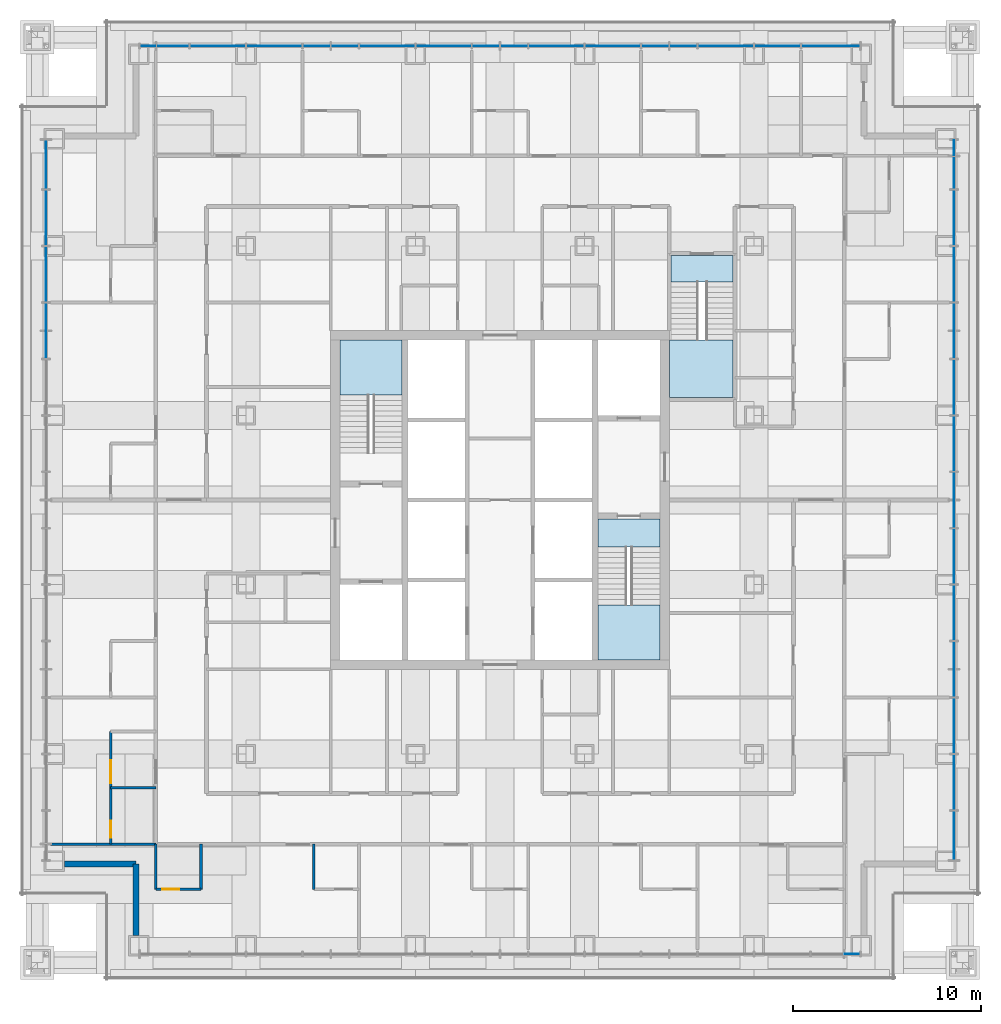
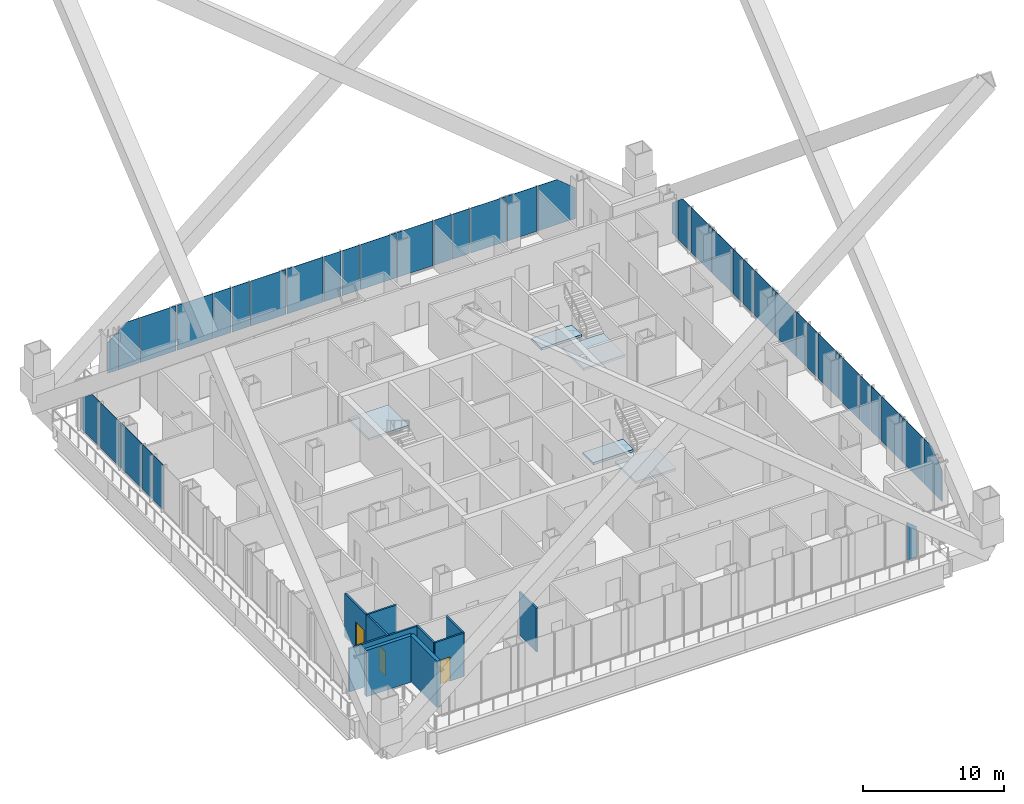
# One storey, part 14 of 20: 40 plates, 10 walls, 5 slabs, 3 doors, 3 openings, 7 elements without a shape of their own.
"""IFC4 building model written with IfcOpenShell, lengths in metres."""

from ifc_helpers import new_model, si_unit, direction, frame, frame_2d, origin, origin_2d, place, context, subcontext, project, spatial, polyline, rectangle, outline, extrude, material, layer, layer_set, type_object, element, fill, aggregate, save


model = new_model("IFC4")

# Units and contexts
model_context = context("Model", 3, precision=1e-05, world=origin(), true_north=direction((0.0, 1.0)))
body_context = subcontext(model_context, "Body", "Model", "MODEL_VIEW")
ifc_project = project(units=[si_unit("LENGTHUNIT", "METRE"), si_unit("AREAUNIT", "SQUARE_METRE"), si_unit("VOLUMEUNIT", "CUBIC_METRE"), si_unit("PLANEANGLEUNIT", "RADIAN"), si_unit("MASSUNIT", "GRAM", prefix="KILO")], contexts=[model_context])

# Site, building, storey
site_placement = place(None, origin())
site = spatial("IfcSite", under=ifc_project, at=site_placement, CompositionType="ELEMENT")
building_placement = place(site_placement, origin())
building = spatial("IfcBuilding", under=site, at=building_placement, Name="Malebo Sky Hospital", CompositionType="ELEMENT")
storey_placement = place(building_placement, frame((0.0, 0.0, 100.0)))
storey = spatial("IfcBuildingStorey", under=building, at=storey_placement, Name="L23", CompositionType="ELEMENT", Elevation=100.0)

# Stair, slab
ifc_material_1 = material(Name="Concrete C40/50", Category="concrete")
stair_type_1 = type_object("IfcStairType", Name="HALF-TURN STAIR 1500 R167", PredefinedType="HALF_TURN_STAIR", material=ifc_material_1)
stair_1_placement = place(storey_placement, origin())
stair_1 = element("IfcStair", 1, at=stair_1_placement, inside=storey, type_object=stair_type_1, Name="Stair S1 L23 type ST1", PredefinedType="HALF_TURN_STAIR")
ifc_layer_1 = layer(ifc_material_1, 0.199951171875)
ifc_layer_set_1 = layer_set([ifc_layer_1], Name="STAIR LANDING 200")
slab_type = type_object("IfcSlabType", Name="STAIR LANDING 200", PredefinedType="LANDING", material=ifc_layer_set_1)
slab_1_placement = place(storey_placement, frame((0.0, 0.0, 1.800048828125)))
slab_1 = element("IfcSlab", 2, at=slab_1_placement, type_object=slab_type, Name="S1 landing 2", PredefinedType="LANDING", context=body_context, shape_type="SweptSolid", body=[
    extrude(outline(polyline([(51.5, 67.580078125), (54.800048828125, 67.580078125), (54.800048828125, 70.5), (51.5, 70.5), (51.5, 67.580078125)])), origin(), (0.0, 0.0, 1.0), 0.199951171875),
])
aggregate(stair_1, [slab_1])

# Stair, slabs
stair_2_placement = place(storey_placement, origin())
stair_2 = element("IfcStair", 3, at=stair_2_placement, inside=storey, type_object=stair_type_1, Name="Stair S2 L23 type ST1", PredefinedType="HALF_TURN_STAIR")
slab_2_placement = place(storey_placement, frame((0.0, 0.0, -0.199951171875)))
slab_2 = element("IfcSlab", 4, at=slab_2_placement, type_object=slab_type, Name="S2 landing 1", PredefinedType="LANDING", context=body_context, shape_type="SweptSolid", body=[
    extrude(outline(polyline([(65.199951171875, 59.5), (68.5, 59.5), (68.5, 61.0), (65.199951171875, 61.0), (65.199951171875, 59.5)])), origin(), (0.0, 0.0, 1.0), 0.199951171875),
])
slab_3_placement = place(storey_placement, frame((0.0, 0.0, 1.800048828125)))
slab_3 = element("IfcSlab", 5, at=slab_3_placement, type_object=slab_type, Name="S2 landing 2", PredefinedType="LANDING", context=body_context, shape_type="SweptSolid", body=[
    extrude(outline(polyline([(65.199951171875, 53.5), (68.5, 53.5), (68.5, 56.419921875), (65.199951171875, 56.419921875), (65.199951171875, 53.5)])), origin(), (0.0, 0.0, 1.0), 0.199951171875),
])
aggregate(stair_2, [slab_2, slab_3])

stair_type_2 = type_object("IfcStairType", Name="HALF-TURN STAIR 1400 R167", PredefinedType="HALF_TURN_STAIR", material=ifc_material_1)
stair_3_placement = place(storey_placement, origin())
stair_3 = element("IfcStair", 6, at=stair_3_placement, inside=storey, type_object=stair_type_2, Name="Stair S3 L23 type ST1B", PredefinedType="HALF_TURN_STAIR")
slab_4_placement = place(storey_placement, frame((0.0, 0.0, -0.199951171875)))
slab_4 = element("IfcSlab", 7, at=slab_4_placement, type_object=slab_type, Name="S3 landing 1", PredefinedType="LANDING", context=body_context, shape_type="SweptSolid", body=[
    extrude(outline(polyline([(69.10009765625, 73.60009765625), (72.39990234375, 73.60009765625), (72.39990234375, 75.0), (69.10009765625, 75.0), (69.10009765625, 73.60009765625)])), origin(), (0.0, 0.0, 1.0), 0.199951171875),
])
slab_5_placement = place(storey_placement, frame((0.0, 0.0, 1.800048828125)))
slab_5 = element("IfcSlab", 8, at=slab_5_placement, type_object=slab_type, Name="S3 landing 2", PredefinedType="LANDING", context=body_context, shape_type="SweptSolid", body=[
    extrude(outline(polyline([(69.0, 67.449951171875), (72.39990234375, 67.449951171875), (72.39990234375, 70.52001953125), (69.0, 70.52001953125), (69.0, 67.449951171875)])), origin(), (0.0, 0.0, 1.0), 0.199951171875),
])
aggregate(stair_3, [slab_4, slab_5])

# Curtain wall, plates
ifc_material_2 = material(Name="Anodised aluminium, natural silver", Category="aluminium")
ifc_layer_2 = layer(ifc_material_2, 0.25)
ifc_layer_set_2 = layer_set([ifc_layer_2], Name="WARD CURTAIN WALL NORTH AND SOUTH")
curtain_wall_type_1 = type_object("IfcCurtainWallType", Name="WARD CURTAIN WALL NORTH AND SOUTH", PredefinedType="NOTDEFINED", material=ifc_layer_set_2)
curtain_wall_1_placement = place(storey_placement, origin())
curtain_wall_1 = element("IfcCurtainWall", 9, at=curtain_wall_1_placement, inside=storey, type_object=curtain_wall_type_1, Name="NS curtain wall N", PredefinedType="NOTDEFINED")
ifc_material_3 = material(Name="Clear low-iron double glazing", Category="glass")
ifc_layer_3 = layer(ifc_material_3, 0.031982421875)
ifc_layer_set_3 = layer_set([ifc_layer_3], Name="VISION PANEL CLEAR 32")
plate_type = type_object("IfcPlateType", Name="VISION PANEL CLEAR 32", PredefinedType="CURTAIN_PANEL", material=ifc_layer_set_3)
plate_1_placement = place(storey_placement, frame((41.268798828125, 86.135009765625, 0.10009765625), z_axis=(0.0, 0.0, 1.0), x_axis=(1.0, 0.0, 0.0)))
plate_1 = element("IfcPlate", 10, at=plate_1_placement, type_object=plate_type, Name="Panel 1", PredefinedType="CURTAIN_PANEL", context=body_context, shape_type="SweptSolid", body=[
    extrude(outline(polyline([(-0.393798828125, 0.0), (0.393798828125, 0.0), (0.393798828125, 3.301025390625), (-0.393798828125, 2.652099609375), (-0.393798828125, 0.0)])), frame((0.0, 0.01611328125, 0.0), z_axis=(0.0, -1.0, 0.0), x_axis=(1.0, 0.0, 0.0)), (0.0, 0.0, 1.0), 0.031982421875),
])
plate_2_placement = place(storey_placement, frame((42.60009765625, 86.135009765625, 0.10009765625), z_axis=(0.0, 0.0, 1.0), x_axis=(1.0, 0.0, 0.0)))
plate_2 = element("IfcPlate", 11, at=plate_2_placement, type_object=plate_type, Name="Panel 2", PredefinedType="CURTAIN_PANEL", context=body_context, shape_type="SweptSolid", body=[
    extrude(outline(polyline([(-0.862548828125, 0.0), (0.862548828125, 0.0), (0.862548828125, 3.889892578125), (-0.222900390625, 3.889892578125), (-0.862548828125, 3.36279296875), (-0.862548828125, 0.0)])), frame((0.0, 0.01611328125, 0.0), z_axis=(0.0, -1.0, 0.0), x_axis=(1.0, 0.0, 0.0)), (0.0, 0.0, 1.0), 0.031982421875),
])
plate_3_placement = place(storey_placement, frame((45.0, 86.135009765625, 0.10009765625), z_axis=(0.0, 0.0, 1.0), x_axis=(1.0, 0.0, 0.0)))
plate_3 = element("IfcPlate", 12, at=plate_3_placement, type_object=plate_type, Name="Panel 3", PredefinedType="CURTAIN_PANEL", context=body_context, shape_type="SweptSolid", body=[
    extrude(rectangle(XDim=2.925048828125, YDim=0.031982421875, at=origin_2d()), origin(), (0.0, 0.0, 1.0), 3.889892578125),
])
plate_4_placement = place(storey_placement, frame((48.0, 86.135009765625, 0.10009765625), z_axis=(0.0, 0.0, 1.0), x_axis=(1.0, 0.0, 0.0)))
plate_4 = element("IfcPlate", 13, at=plate_4_placement, type_object=plate_type, Name="Panel 4", PredefinedType="CURTAIN_PANEL", context=body_context, shape_type="SweptSolid", body=[
    extrude(rectangle(XDim=2.925048828125, YDim=0.031982421875, at=origin_2d()), origin(), (0.0, 0.0, 1.0), 3.889892578125),
])
plate_5_placement = place(storey_placement, frame((50.25, 86.135009765625, 0.10009765625), z_axis=(0.0, 0.0, 1.0), x_axis=(1.0, 0.0, 0.0)))
plate_5 = element("IfcPlate", 14, at=plate_5_placement, type_object=plate_type, Name="Panel 5", PredefinedType="CURTAIN_PANEL", context=body_context, shape_type="SweptSolid", body=[
    extrude(rectangle(XDim=1.425048828125, YDim=0.031982421875, at=origin_2d()), origin(), (0.0, 0.0, 1.0), 3.889892578125),
])
plate_6_placement = place(storey_placement, frame((51.75, 86.135009765625, 0.10009765625), z_axis=(0.0, 0.0, 1.0), x_axis=(1.0, 0.0, 0.0)))
plate_6 = element("IfcPlate", 15, at=plate_6_placement, type_object=plate_type, Name="Panel 6", PredefinedType="CURTAIN_PANEL", context=body_context, shape_type="SweptSolid", body=[
    extrude(rectangle(XDim=1.425048828125, YDim=0.031982421875, at=origin_2d()), origin(), (0.0, 0.0, 1.0), 3.889892578125),
])
plate_7_placement = place(storey_placement, frame((54.0, 86.135009765625, 0.10009765625), z_axis=(0.0, 0.0, 1.0), x_axis=(1.0, 0.0, 0.0)))
plate_7 = element("IfcPlate", 16, at=plate_7_placement, type_object=plate_type, Name="Panel 7", PredefinedType="CURTAIN_PANEL", context=body_context, shape_type="SweptSolid", body=[
    extrude(rectangle(XDim=2.925048828125, YDim=0.031982421875, at=origin_2d()), origin(), (0.0, 0.0, 1.0), 3.889892578125),
])
plate_8_placement = place(storey_placement, frame((57.0, 86.135009765625, 0.10009765625), z_axis=(0.0, 0.0, 1.0), x_axis=(1.0, 0.0, 0.0)))
plate_8 = element("IfcPlate", 17, at=plate_8_placement, type_object=plate_type, Name="Panel 8", PredefinedType="CURTAIN_PANEL", context=body_context, shape_type="SweptSolid", body=[
    extrude(rectangle(XDim=2.925048828125, YDim=0.031982421875, at=origin_2d()), origin(), (0.0, 0.0, 1.0), 3.889892578125),
])
plate_9_placement = place(storey_placement, frame((59.25, 86.135009765625, 0.10009765625), z_axis=(0.0, 0.0, 1.0), x_axis=(1.0, 0.0, 0.0)))
plate_9 = element("IfcPlate", 18, at=plate_9_placement, type_object=plate_type, Name="Panel 9", PredefinedType="CURTAIN_PANEL", context=body_context, shape_type="SweptSolid", body=[
    extrude(rectangle(XDim=1.425048828125, YDim=0.031982421875, at=origin_2d()), origin(), (0.0, 0.0, 1.0), 3.889892578125),
])
plate_10_placement = place(storey_placement, frame((60.75, 86.135009765625, 0.10009765625), z_axis=(0.0, 0.0, 1.0), x_axis=(1.0, 0.0, 0.0)))
plate_10 = element("IfcPlate", 19, at=plate_10_placement, type_object=plate_type, Name="Panel 10", PredefinedType="CURTAIN_PANEL", context=body_context, shape_type="SweptSolid", body=[
    extrude(rectangle(XDim=1.425048828125, YDim=0.031982421875, at=origin_2d()), origin(), (0.0, 0.0, 1.0), 3.889892578125),
])
plate_11_placement = place(storey_placement, frame((63.0, 86.135009765625, 0.10009765625), z_axis=(0.0, 0.0, 1.0), x_axis=(1.0, 0.0, 0.0)))
plate_11 = element("IfcPlate", 20, at=plate_11_placement, type_object=plate_type, Name="Panel 11", PredefinedType="CURTAIN_PANEL", context=body_context, shape_type="SweptSolid", body=[
    extrude(rectangle(XDim=2.925048828125, YDim=0.031982421875, at=origin_2d()), origin(), (0.0, 0.0, 1.0), 3.889892578125),
])
plate_12_placement = place(storey_placement, frame((66.0, 86.135009765625, 0.10009765625), z_axis=(0.0, 0.0, 1.0), x_axis=(1.0, 0.0, 0.0)))
plate_12 = element("IfcPlate", 21, at=plate_12_placement, type_object=plate_type, Name="Panel 12", PredefinedType="CURTAIN_PANEL", context=body_context, shape_type="SweptSolid", body=[
    extrude(rectangle(XDim=2.925048828125, YDim=0.031982421875, at=origin_2d()), origin(), (0.0, 0.0, 1.0), 3.889892578125),
])
plate_13_placement = place(storey_placement, frame((68.25, 86.135009765625, 0.10009765625), z_axis=(0.0, 0.0, 1.0), x_axis=(1.0, 0.0, 0.0)))
plate_13 = element("IfcPlate", 22, at=plate_13_placement, type_object=plate_type, Name="Panel 13", PredefinedType="CURTAIN_PANEL", context=body_context, shape_type="SweptSolid", body=[
    extrude(rectangle(XDim=1.425048828125, YDim=0.031982421875, at=origin_2d()), origin(), (0.0, 0.0, 1.0), 3.889892578125),
])
plate_14_placement = place(storey_placement, frame((69.75, 86.135009765625, 0.10009765625), z_axis=(0.0, 0.0, 1.0), x_axis=(1.0, 0.0, 0.0)))
plate_14 = element("IfcPlate", 23, at=plate_14_placement, type_object=plate_type, Name="Panel 14", PredefinedType="CURTAIN_PANEL", context=body_context, shape_type="SweptSolid", body=[
    extrude(rectangle(XDim=1.425048828125, YDim=0.031982421875, at=origin_2d()), origin(), (0.0, 0.0, 1.0), 3.889892578125),
])
plate_15_placement = place(storey_placement, frame((72.0, 86.135009765625, 0.10009765625), z_axis=(0.0, 0.0, 1.0), x_axis=(1.0, 0.0, 0.0)))
plate_15 = element("IfcPlate", 24, at=plate_15_placement, type_object=plate_type, Name="Panel 15", PredefinedType="CURTAIN_PANEL", context=body_context, shape_type="SweptSolid", body=[
    extrude(rectangle(XDim=2.925048828125, YDim=0.031982421875, at=origin_2d()), origin(), (0.0, 0.0, 1.0), 3.889892578125),
])
plate_16_placement = place(storey_placement, frame((74.75, 86.135009765625, 0.10009765625), z_axis=(0.0, 0.0, 1.0), x_axis=(1.0, 0.0, 0.0)))
plate_16 = element("IfcPlate", 25, at=plate_16_placement, type_object=plate_type, Name="Panel 16", PredefinedType="CURTAIN_PANEL", context=body_context, shape_type="SweptSolid", body=[
    extrude(rectangle(XDim=2.425048828125, YDim=0.031982421875, at=origin_2d()), origin(), (0.0, 0.0, 1.0), 3.889892578125),
])
plate_17_placement = place(storey_placement, frame((77.581298828125, 86.135009765625, 0.10009765625), z_axis=(0.0, 0.0, 1.0), x_axis=(1.0, 0.0, 0.0)))
plate_17 = element("IfcPlate", 26, at=plate_17_placement, type_object=plate_type, Name="Panel 17", PredefinedType="CURTAIN_PANEL", context=body_context, shape_type="SweptSolid", body=[
    extrude(outline(polyline([(-1.543701171875, 0.0), (1.543701171875, 0.0), (1.543701171875, 2.652099609375), (0.04150390625, 3.889892578125), (-1.543701171875, 3.889892578125), (-1.543701171875, 0.0)])), frame((0.0, 0.01611328125, 0.0), z_axis=(0.0, -1.0, 0.0), x_axis=(1.0, 0.0, 0.0)), (0.0, 0.0, 1.0), 0.031982421875),
])
aggregate(curtain_wall_1, [plate_1, plate_2, plate_3, plate_4, plate_5, plate_6, plate_7, plate_8, plate_9, plate_10, plate_11, plate_12, plate_13, plate_14, plate_15, plate_16, plate_17])

ifc_layer_4 = layer(ifc_material_2, 0.25)
ifc_layer_set_4 = layer_set([ifc_layer_4], Name="WARD CURTAIN WALL EAST AND WEST")
curtain_wall_type_2 = type_object("IfcCurtainWallType", Name="WARD CURTAIN WALL EAST AND WEST", PredefinedType="NOTDEFINED", material=ifc_layer_set_4)
curtain_wall_2_placement = place(storey_placement, origin())
curtain_wall_2 = element("IfcCurtainWall", 27, at=curtain_wall_2_placement, inside=storey, type_object=curtain_wall_type_2, Name="EW curtain wall W", PredefinedType="NOTDEFINED")
plate_18_placement = place(storey_placement, frame((35.864990234375, 70.25, 0.10009765625), z_axis=(0.0, 0.0, 1.0), x_axis=(0.0, 1.0, 0.0)))
plate_18 = element("IfcPlate", 28, at=plate_18_placement, type_object=plate_type, Name="Panel 13", PredefinedType="CURTAIN_PANEL", context=body_context, shape_type="SweptSolid", body=[
    extrude(rectangle(XDim=1.425048828125, YDim=0.031982421875, at=origin_2d()), origin(), (0.0, 0.0, 1.0), 3.889892578125),
])
plate_19_placement = place(storey_placement, frame((35.864990234375, 71.75, 0.10009765625), z_axis=(0.0, 0.0, 1.0), x_axis=(0.0, 1.0, 0.0)))
plate_19 = element("IfcPlate", 29, at=plate_19_placement, type_object=plate_type, Name="Panel 14", PredefinedType="CURTAIN_PANEL", context=body_context, shape_type="SweptSolid", body=[
    extrude(rectangle(XDim=1.425048828125, YDim=0.031982421875, at=origin_2d()), origin(), (0.0, 0.0, 1.0), 3.889892578125),
])
plate_20_placement = place(storey_placement, frame((35.864990234375, 74.0, 0.10009765625), z_axis=(0.0, 0.0, 1.0), x_axis=(0.0, 1.0, 0.0)))
plate_20 = element("IfcPlate", 30, at=plate_20_placement, type_object=plate_type, Name="Panel 15", PredefinedType="CURTAIN_PANEL", context=body_context, shape_type="SweptSolid", body=[
    extrude(rectangle(XDim=2.925048828125, YDim=0.031982421875, at=origin_2d()), origin(), (0.0, 0.0, 1.0), 3.889892578125),
])
plate_21_placement = place(storey_placement, frame((35.864990234375, 77.0, 0.10009765625), z_axis=(0.0, 0.0, 1.0), x_axis=(0.0, 1.0, 0.0)))
plate_21 = element("IfcPlate", 31, at=plate_21_placement, type_object=plate_type, Name="Panel 16", PredefinedType="CURTAIN_PANEL", context=body_context, shape_type="SweptSolid", body=[
    extrude(rectangle(XDim=2.925048828125, YDim=0.031982421875, at=origin_2d()), origin(), (0.0, 0.0, 1.0), 3.889892578125),
])
plate_22_placement = place(storey_placement, frame((35.864990234375, 79.831298828125, 0.10009765625), z_axis=(0.0, 0.0, 1.0), x_axis=(0.0, 1.0, 0.0)))
plate_22 = element("IfcPlate", 32, at=plate_22_placement, type_object=plate_type, Name="Panel 17", PredefinedType="CURTAIN_PANEL", context=body_context, shape_type="SweptSolid", body=[
    extrude(outline(polyline([(-1.293701171875, 0.0), (1.293701171875, 0.0), (1.293701171875, 2.652099609375), (-0.20849609375, 3.889892578125), (-1.293701171875, 3.889892578125), (-1.293701171875, 0.0)])), frame((0.0, 0.01611328125, 0.0), z_axis=(0.0, -1.0, 0.0), x_axis=(1.0, 0.0, 0.0)), (0.0, 0.0, 1.0), 0.031982421875),
])
aggregate(curtain_wall_2, [plate_18, plate_19, plate_20, plate_21, plate_22])

# Curtain wall, plate
curtain_wall_3_placement = place(storey_placement, origin())
curtain_wall_3 = element("IfcCurtainWall", 33, at=curtain_wall_3_placement, inside=storey, type_object=curtain_wall_type_1, Name="NS curtain wall S", PredefinedType="NOTDEFINED")
plate_23_placement = place(storey_placement, frame((78.731201171875, 37.864990234375, 0.10009765625), z_axis=(0.0, 0.0, 1.0), x_axis=(-1.0, 0.0, 0.0)))
plate_23 = element("IfcPlate", 34, at=plate_23_placement, type_object=plate_type, Name="Panel 1", PredefinedType="CURTAIN_PANEL", context=body_context, shape_type="SweptSolid", body=[
    extrude(outline(polyline([(-0.393798828125, 0.0), (0.393798828125, 0.0), (0.393798828125, 3.301025390625), (-0.393798828125, 2.652099609375), (-0.393798828125, 0.0)])), frame((0.0, 0.01611328125, 0.0), z_axis=(0.0, -1.0, 0.0), x_axis=(1.0, 0.0, 0.0)), (0.0, 0.0, 1.0), 0.031982421875),
])
aggregate(curtain_wall_3, [plate_23])

# Curtain wall, plates
curtain_wall_4_placement = place(storey_placement, origin())
curtain_wall_4 = element("IfcCurtainWall", 35, at=curtain_wall_4_placement, inside=storey, type_object=curtain_wall_type_2, Name="EW curtain wall E", PredefinedType="NOTDEFINED")
plate_24_placement = place(storey_placement, frame((84.135009765625, 80.731201171875, 0.10009765625), z_axis=(0.0, 0.0, 1.0), x_axis=(0.0, -1.0, 0.0)))
plate_24 = element("IfcPlate", 36, at=plate_24_placement, type_object=plate_type, Name="Panel 1", PredefinedType="CURTAIN_PANEL", context=body_context, shape_type="SweptSolid", body=[
    extrude(outline(polyline([(-0.393798828125, 0.0), (0.393798828125, 0.0), (0.393798828125, 3.301025390625), (-0.393798828125, 2.652099609375), (-0.393798828125, 0.0)])), frame((0.0, 0.01611328125, 0.0), z_axis=(0.0, -1.0, 0.0), x_axis=(1.0, 0.0, 0.0)), (0.0, 0.0, 1.0), 0.031982421875),
])
plate_25_placement = place(storey_placement, frame((84.135009765625, 79.39990234375, 0.10009765625), z_axis=(0.0, 0.0, 1.0), x_axis=(0.0, -1.0, 0.0)))
plate_25 = element("IfcPlate", 37, at=plate_25_placement, type_object=plate_type, Name="Panel 2", PredefinedType="CURTAIN_PANEL", context=body_context, shape_type="SweptSolid", body=[
    extrude(outline(polyline([(-0.862548828125, 0.0), (0.862548828125, 0.0), (0.862548828125, 3.889892578125), (-0.222900390625, 3.889892578125), (-0.862548828125, 3.36279296875), (-0.862548828125, 0.0)])), frame((0.0, 0.01611328125, 0.0), z_axis=(0.0, -1.0, 0.0), x_axis=(1.0, 0.0, 0.0)), (0.0, 0.0, 1.0), 0.031982421875),
])
plate_26_placement = place(storey_placement, frame((84.135009765625, 77.0, 0.10009765625), z_axis=(0.0, 0.0, 1.0), x_axis=(0.0, -1.0, 0.0)))
plate_26 = element("IfcPlate", 38, at=plate_26_placement, type_object=plate_type, Name="Panel 3", PredefinedType="CURTAIN_PANEL", context=body_context, shape_type="SweptSolid", body=[
    extrude(rectangle(XDim=2.925048828125, YDim=0.031982421875, at=origin_2d()), origin(), (0.0, 0.0, 1.0), 3.889892578125),
])
plate_27_placement = place(storey_placement, frame((84.135009765625, 74.0, 0.10009765625), z_axis=(0.0, 0.0, 1.0), x_axis=(0.0, -1.0, 0.0)))
plate_27 = element("IfcPlate", 39, at=plate_27_placement, type_object=plate_type, Name="Panel 4", PredefinedType="CURTAIN_PANEL", context=body_context, shape_type="SweptSolid", body=[
    extrude(rectangle(XDim=2.925048828125, YDim=0.031982421875, at=origin_2d()), origin(), (0.0, 0.0, 1.0), 3.889892578125),
])
plate_28_placement = place(storey_placement, frame((84.135009765625, 71.75, 0.10009765625), z_axis=(0.0, 0.0, 1.0), x_axis=(0.0, -1.0, 0.0)))
plate_28 = element("IfcPlate", 40, at=plate_28_placement, type_object=plate_type, Name="Panel 5", PredefinedType="CURTAIN_PANEL", context=body_context, shape_type="SweptSolid", body=[
    extrude(rectangle(XDim=1.425048828125, YDim=0.031982421875, at=origin_2d()), origin(), (0.0, 0.0, 1.0), 3.889892578125),
])
plate_29_placement = place(storey_placement, frame((84.135009765625, 70.25, 0.10009765625), z_axis=(0.0, 0.0, 1.0), x_axis=(0.0, -1.0, 0.0)))
plate_29 = element("IfcPlate", 41, at=plate_29_placement, type_object=plate_type, Name="Panel 6", PredefinedType="CURTAIN_PANEL", context=body_context, shape_type="SweptSolid", body=[
    extrude(rectangle(XDim=1.425048828125, YDim=0.031982421875, at=origin_2d()), origin(), (0.0, 0.0, 1.0), 3.889892578125),
])
plate_30_placement = place(storey_placement, frame((84.135009765625, 68.0, 0.10009765625), z_axis=(0.0, 0.0, 1.0), x_axis=(0.0, -1.0, 0.0)))
plate_30 = element("IfcPlate", 42, at=plate_30_placement, type_object=plate_type, Name="Panel 7", PredefinedType="CURTAIN_PANEL", context=body_context, shape_type="SweptSolid", body=[
    extrude(rectangle(XDim=2.925048828125, YDim=0.031982421875, at=origin_2d()), origin(), (0.0, 0.0, 1.0), 3.889892578125),
])
plate_31_placement = place(storey_placement, frame((84.135009765625, 65.0, 0.10009765625), z_axis=(0.0, 0.0, 1.0), x_axis=(0.0, -1.0, 0.0)))
plate_31 = element("IfcPlate", 43, at=plate_31_placement, type_object=plate_type, Name="Panel 8", PredefinedType="CURTAIN_PANEL", context=body_context, shape_type="SweptSolid", body=[
    extrude(rectangle(XDim=2.925048828125, YDim=0.031982421875, at=origin_2d()), origin(), (0.0, 0.0, 1.0), 3.889892578125),
])
plate_32_placement = place(storey_placement, frame((84.135009765625, 62.75, 0.10009765625), z_axis=(0.0, 0.0, 1.0), x_axis=(0.0, -1.0, 0.0)))
plate_32 = element("IfcPlate", 44, at=plate_32_placement, type_object=plate_type, Name="Panel 9", PredefinedType="CURTAIN_PANEL", context=body_context, shape_type="SweptSolid", body=[
    extrude(rectangle(XDim=1.425048828125, YDim=0.031982421875, at=origin_2d()), origin(), (0.0, 0.0, 1.0), 3.889892578125),
])
plate_33_placement = place(storey_placement, frame((84.135009765625, 61.25, 0.10009765625), z_axis=(0.0, 0.0, 1.0), x_axis=(0.0, -1.0, 0.0)))
plate_33 = element("IfcPlate", 45, at=plate_33_placement, type_object=plate_type, Name="Panel 10", PredefinedType="CURTAIN_PANEL", context=body_context, shape_type="SweptSolid", body=[
    extrude(rectangle(XDim=1.425048828125, YDim=0.031982421875, at=origin_2d()), origin(), (0.0, 0.0, 1.0), 3.889892578125),
])
plate_34_placement = place(storey_placement, frame((84.135009765625, 59.0, 0.10009765625), z_axis=(0.0, 0.0, 1.0), x_axis=(0.0, -1.0, 0.0)))
plate_34 = element("IfcPlate", 46, at=plate_34_placement, type_object=plate_type, Name="Panel 11", PredefinedType="CURTAIN_PANEL", context=body_context, shape_type="SweptSolid", body=[
    extrude(rectangle(XDim=2.925048828125, YDim=0.031982421875, at=origin_2d()), origin(), (0.0, 0.0, 1.0), 3.889892578125),
])
plate_35_placement = place(storey_placement, frame((84.135009765625, 56.0, 0.10009765625), z_axis=(0.0, 0.0, 1.0), x_axis=(0.0, -1.0, 0.0)))
plate_35 = element("IfcPlate", 47, at=plate_35_placement, type_object=plate_type, Name="Panel 12", PredefinedType="CURTAIN_PANEL", context=body_context, shape_type="SweptSolid", body=[
    extrude(rectangle(XDim=2.925048828125, YDim=0.031982421875, at=origin_2d()), origin(), (0.0, 0.0, 1.0), 3.889892578125),
])
plate_36_placement = place(storey_placement, frame((84.135009765625, 53.75, 0.10009765625), z_axis=(0.0, 0.0, 1.0), x_axis=(0.0, -1.0, 0.0)))
plate_36 = element("IfcPlate", 48, at=plate_36_placement, type_object=plate_type, Name="Panel 13", PredefinedType="CURTAIN_PANEL", context=body_context, shape_type="SweptSolid", body=[
    extrude(rectangle(XDim=1.425048828125, YDim=0.031982421875, at=origin_2d()), origin(), (0.0, 0.0, 1.0), 3.889892578125),
])
plate_37_placement = place(storey_placement, frame((84.135009765625, 52.25, 0.10009765625), z_axis=(0.0, 0.0, 1.0), x_axis=(0.0, -1.0, 0.0)))
plate_37 = element("IfcPlate", 49, at=plate_37_placement, type_object=plate_type, Name="Panel 14", PredefinedType="CURTAIN_PANEL", context=body_context, shape_type="SweptSolid", body=[
    extrude(rectangle(XDim=1.425048828125, YDim=0.031982421875, at=origin_2d()), origin(), (0.0, 0.0, 1.0), 3.889892578125),
])
plate_38_placement = place(storey_placement, frame((84.135009765625, 50.0, 0.10009765625), z_axis=(0.0, 0.0, 1.0), x_axis=(0.0, -1.0, 0.0)))
plate_38 = element("IfcPlate", 50, at=plate_38_placement, type_object=plate_type, Name="Panel 15", PredefinedType="CURTAIN_PANEL", context=body_context, shape_type="SweptSolid", body=[
    extrude(rectangle(XDim=2.925048828125, YDim=0.031982421875, at=origin_2d()), origin(), (0.0, 0.0, 1.0), 3.889892578125),
])
plate_39_placement = place(storey_placement, frame((84.135009765625, 47.0, 0.10009765625), z_axis=(0.0, 0.0, 1.0), x_axis=(0.0, -1.0, 0.0)))
plate_39 = element("IfcPlate", 51, at=plate_39_placement, type_object=plate_type, Name="Panel 16", PredefinedType="CURTAIN_PANEL", context=body_context, shape_type="SweptSolid", body=[
    extrude(rectangle(XDim=2.925048828125, YDim=0.031982421875, at=origin_2d()), origin(), (0.0, 0.0, 1.0), 3.889892578125),
])
plate_40_placement = place(storey_placement, frame((84.135009765625, 44.168701171875, 0.10009765625), z_axis=(0.0, 0.0, 1.0), x_axis=(0.0, -1.0, 0.0)))
plate_40 = element("IfcPlate", 52, at=plate_40_placement, type_object=plate_type, Name="Panel 17", PredefinedType="CURTAIN_PANEL", context=body_context, shape_type="SweptSolid", body=[
    extrude(outline(polyline([(-1.293701171875, 0.0), (1.293701171875, 0.0), (1.293701171875, 2.652099609375), (-0.20849609375, 3.889892578125), (-1.293701171875, 3.889892578125), (-1.293701171875, 0.0)])), frame((0.0, 0.01611328125, 0.0), z_axis=(0.0, -1.0, 0.0), x_axis=(1.0, 0.0, 0.0)), (0.0, 0.0, 1.0), 0.031982421875),
])
aggregate(curtain_wall_4, [plate_24, plate_25, plate_26, plate_27, plate_28, plate_29, plate_30, plate_31, plate_32, plate_33, plate_34, plate_35, plate_36, plate_37, plate_38, plate_39, plate_40])

# Walls
ifc_material_4 = material(Name="Anodised aluminium rainscreen on steel framing", Category="steel")
ifc_layer_5 = layer(ifc_material_4, 0.300048828125)
ifc_layer_set_5 = layer_set([ifc_layer_5], Name="NOTCH RAINSCREEN WALL 300")
wall_type_1 = type_object("IfcWallType", Name="NOTCH RAINSCREEN WALL 300", PredefinedType="ELEMENTEDWALL", material=ifc_layer_set_5)
for number, where, z_axis, x_axis, name in (
    (53, (40.64990234375, 38.85009765625, 0.0), (0.0, 0.0, 1.0), (0.0, 1.0, 0.0), "Notch rainscreen wall S1 L23"),
    (54, (40.64990234375, 42.64990234375, 0.0), (0.0, 0.0, 1.0), (-1.0, 0.0, 0.0), "Notch rainscreen wall S2 L23"),
):
    element("IfcWall", number, at=place(storey_placement, frame(where, z_axis=z_axis, x_axis=x_axis)), inside=storey, type_object=wall_type_1, Name=name, PredefinedType="ELEMENTEDWALL", context=body_context, shape_type="SweptSolid", body=[
        extrude(rectangle(XDim=3.7998046875, YDim=0.300048828125, at=frame_2d((1.89990234375, 0.0))), origin(), (0.0, 0.0, 1.0), 4.0),
    ])
ifc_material_5 = material(Name="Gypsum board on steel studs", Category="steel")
ifc_layer_6 = layer(ifc_material_5, 0.14990234375)
ifc_layer_set_6 = layer_set([ifc_layer_6], Name="PARTITION 150")
wall_type_2 = type_object("IfcWallType", Name="PARTITION 150", PredefinedType="PARTITIONING", material=ifc_layer_set_6)
wall_1_placement = place(storey_placement, frame((41.699951171875, 43.699951171875, 0.0), z_axis=(0.0, 0.0, 1.0), x_axis=(-1.0, 0.0, 0.0)))
element("IfcWall", 55, at=wall_1_placement, inside=storey, type_object=wall_type_2, Name="Partition 150 WP0", PredefinedType="PARTITIONING", context=body_context, shape_type="SweptSolid", body=[
    extrude(rectangle(XDim=5.60986328125, YDim=0.14990234375, at=frame_2d((2.804931640625, 0.0))), origin(), (0.0, 0.0, 1.0), 3.75),
])

# Wall, opening, door
wall_2_placement = place(storey_placement, frame((39.300048828125, 43.699951171875, 0.0), z_axis=(0.0, 0.0, 1.0), x_axis=(0.0, 1.0, 0.0)))
wall_2 = element("IfcWall", 56, at=wall_2_placement, inside=storey, type_object=wall_type_2, Name="Partition 150 WE0F", PredefinedType="PARTITIONING", context=body_context, shape_type="SweptSolid", body=[
    extrude(rectangle(XDim=3.0, YDim=0.14990234375, at=frame_2d((1.5, 0.0))), origin(), (0.0, 0.0, 1.0), 3.75),
])
opening_1_placement = place(wall_2_placement, frame((0.35009765625, 0.0, 0.0)))
opening_1 = element("IfcOpeningElement", 57, at=opening_1_placement, cuts=wall_2, Name="Opening D02", PredefinedType="OPENING", context=body_context, shape_type="SweptSolid", body=[
    extrude(rectangle(XDim=0.89990234375, YDim=2.10009765625, at=frame_2d((0.449951171875, 1.050048828125))), frame((0.0, 0.0849609375, 0.0), z_axis=(0.0, -1.0, 0.0), x_axis=(1.0, 0.0, 0.0)), (0.0, 0.0, 1.0), 0.169921875),
])
ifc_material_6 = material(Name="Hardwood-faced door leaf in steel frame", Category="steel")
door_type_1 = type_object("IfcDoorType", Name="EN-SUITE DOOR 900", OperationType="SINGLE_SWING_LEFT", PredefinedType="DOOR", material=ifc_material_6)
door_1_placement = place(opening_1_placement, origin())
door_1 = element("IfcDoor", 58, at=door_1_placement, inside=storey, type_object=door_type_1, Name="En-suite door", OperationType="SINGLE_SWING_LEFT", OverallHeight=2.10009765625, OverallWidth=0.89990234375, PredefinedType="DOOR", context=body_context, shape_type="SweptSolid", body=[
    extrude(rectangle(XDim=0.89990234375, YDim=2.10009765625, at=frame_2d((0.449951171875, 1.050048828125))), frame((0.0, 0.02490234375, 0.0), z_axis=(0.0, -1.0, 0.0), x_axis=(1.0, 0.0, 0.0)), (0.0, 0.0, 1.0), 0.050048828125),
])
fill(opening_1, door_1)

# Walls
for number, where, z_axis, x_axis, name in (
    (59, (41.699951171875, 46.699951171875, 0.0), (0.0, 0.0, 1.0), (-1.0, 0.0, 0.0), "Partition 150 WE0S"),
    (60, (50.10009765625, 43.699951171875, 0.0), (0.0, 0.0, 1.0), (0.0, -1.0, 0.0), "Partition 150 SE3S"),
):
    element("IfcWall", number, at=place(storey_placement, frame(where, z_axis=z_axis, x_axis=x_axis)), inside=storey, type_object=wall_type_2, Name=name, PredefinedType="PARTITIONING", context=body_context, shape_type="SweptSolid", body=[
        extrude(rectangle(XDim=2.39990234375, YDim=0.14990234375, at=frame_2d((1.199951171875, 0.0))), origin(), (0.0, 0.0, 1.0), 3.75),
    ])

# Wall, opening, door
wall_3_placement = place(storey_placement, frame((44.10009765625, 41.300048828125, 0.0), z_axis=(0.0, 0.0, 1.0), x_axis=(-1.0, 0.0, 0.0)))
wall_3 = element("IfcWall", 61, at=wall_3_placement, inside=storey, type_object=wall_type_2, Name="Partition 150 SG3F", PredefinedType="PARTITIONING", context=body_context, shape_type="SweptSolid", body=[
    extrude(rectangle(XDim=2.400146484375, YDim=0.14990234375, at=frame_2d((1.2001953125, 0.0))), origin(), (0.0, 0.0, 1.0), 3.75),
])
opening_2_placement = place(wall_3_placement, frame((1.14990234375, 0.0, 0.0)))
opening_2 = element("IfcOpeningElement", 62, at=opening_2_placement, cuts=wall_3, Name="Opening D02", PredefinedType="OPENING", context=body_context, shape_type="SweptSolid", body=[
    extrude(rectangle(XDim=0.89990234375, YDim=2.10009765625, at=frame_2d((0.449951171875, 1.050048828125))), frame((0.0, 0.0849609375, 0.0), z_axis=(0.0, -1.0, 0.0), x_axis=(1.0, 0.0, 0.0)), (0.0, 0.0, 1.0), 0.169921875),
])
door_2_placement = place(opening_2_placement, origin())
door_2 = element("IfcDoor", 63, at=door_2_placement, inside=storey, type_object=door_type_1, Name="En-suite door", OperationType="SINGLE_SWING_RIGHT", OverallHeight=2.10009765625, OverallWidth=0.89990234375, PredefinedType="DOOR", context=body_context, shape_type="SweptSolid", body=[
    extrude(rectangle(XDim=0.89990234375, YDim=2.10009765625, at=frame_2d((0.449951171875, 1.050048828125))), frame((0.0, 0.02490234375, 0.0), z_axis=(0.0, -1.0, 0.0), x_axis=(1.0, 0.0, 0.0)), (0.0, 0.0, 1.0), 0.050048828125),
])
fill(opening_2, door_2)

# Walls
for number, where, z_axis, x_axis, name in (
    (64, (44.10009765625, 43.699951171875, 0.0), (0.0, 0.0, 1.0), (0.0, -1.0, 0.0), "Partition 150 SG3S"),
    (65, (41.699951171875, 43.699951171875, 0.0), (0.0, 0.0, 1.0), (0.0, -1.0, 0.0), "Partition 150 SEZ"),
):
    element("IfcWall", number, at=place(storey_placement, frame(where, z_axis=z_axis, x_axis=x_axis)), inside=storey, type_object=wall_type_2, Name=name, PredefinedType="PARTITIONING", context=body_context, shape_type="SweptSolid", body=[
        extrude(rectangle(XDim=2.39990234375, YDim=0.14990234375, at=frame_2d((1.199951171875, 0.0))), origin(), (0.0, 0.0, 1.0), 3.75),
    ])

# Wall, opening, door
ifc_material_7 = material(Name="Sealed gypsum board on steel studs, taped to the slab", Category="steel")
ifc_layer_7 = layer(ifc_material_7, 0.14990234375)
ifc_layer_set_7 = layer_set([ifc_layer_7], Name="SEALED ISOLATION PARTITION 150")
wall_type_3 = type_object("IfcWallType", Name="SEALED ISOLATION PARTITION 150", PredefinedType="PARTITIONING", material=ifc_layer_set_7)
wall_4_placement = place(storey_placement, frame((39.300048828125, 46.699951171875, 0.0), z_axis=(0.0, 0.0, 1.0), x_axis=(0.0, 1.0, 0.0)))
wall_4 = element("IfcWall", 66, at=wall_4_placement, inside=storey, type_object=wall_type_3, Name="Sealed Isolation Partition 150 WA0F", PredefinedType="PARTITIONING", context=body_context, shape_type="SweptSolid", body=[
    extrude(rectangle(XDim=3.0, YDim=0.14990234375, at=frame_2d((1.5, 0.0))), origin(), (0.0, 0.0, 1.0), 3.75),
])
opening_3_placement = place(wall_4_placement, frame((0.25, 0.0, 0.0)))
opening_3 = element("IfcOpeningElement", 67, at=opening_3_placement, cuts=wall_4, Name="Opening D19", PredefinedType="OPENING", context=body_context, shape_type="SweptSolid", body=[
    extrude(rectangle(XDim=1.199951171875, YDim=2.199951171875, at=frame_2d((0.60009765625, 1.10009765625))), frame((0.0, 0.0849609375, 0.0), z_axis=(0.0, -1.0, 0.0), x_axis=(1.0, 0.0, 0.0)), (0.0, 0.0, 1.0), 0.169921875),
])
ifc_material_8 = material(Name="Hardwood-faced door leaf with perimeter seals in steel frame", Category="steel")
door_type_2 = type_object("IfcDoorType", Name="SEALED ISOLATION ROOM DOOR 1200", OperationType="SINGLE_SWING_LEFT", PredefinedType="DOOR", material=ifc_material_8)
door_3_placement = place(opening_3_placement, origin())
door_3 = element("IfcDoor", 68, at=door_3_placement, inside=storey, type_object=door_type_2, Name="Isolation room door", OperationType="SINGLE_SWING_LEFT", OverallHeight=2.199951171875, OverallWidth=1.199951171875, PredefinedType="DOOR", context=body_context, shape_type="SweptSolid", body=[
    extrude(rectangle(XDim=1.199951171875, YDim=2.199951171875, at=frame_2d((0.60009765625, 1.10009765625))), frame((0.0, 0.02490234375, 0.0), z_axis=(0.0, -1.0, 0.0), x_axis=(1.0, 0.0, 0.0)), (0.0, 0.0, 1.0), 0.050048828125),
])
fill(opening_3, door_3)

save(model, "model.ifc")
